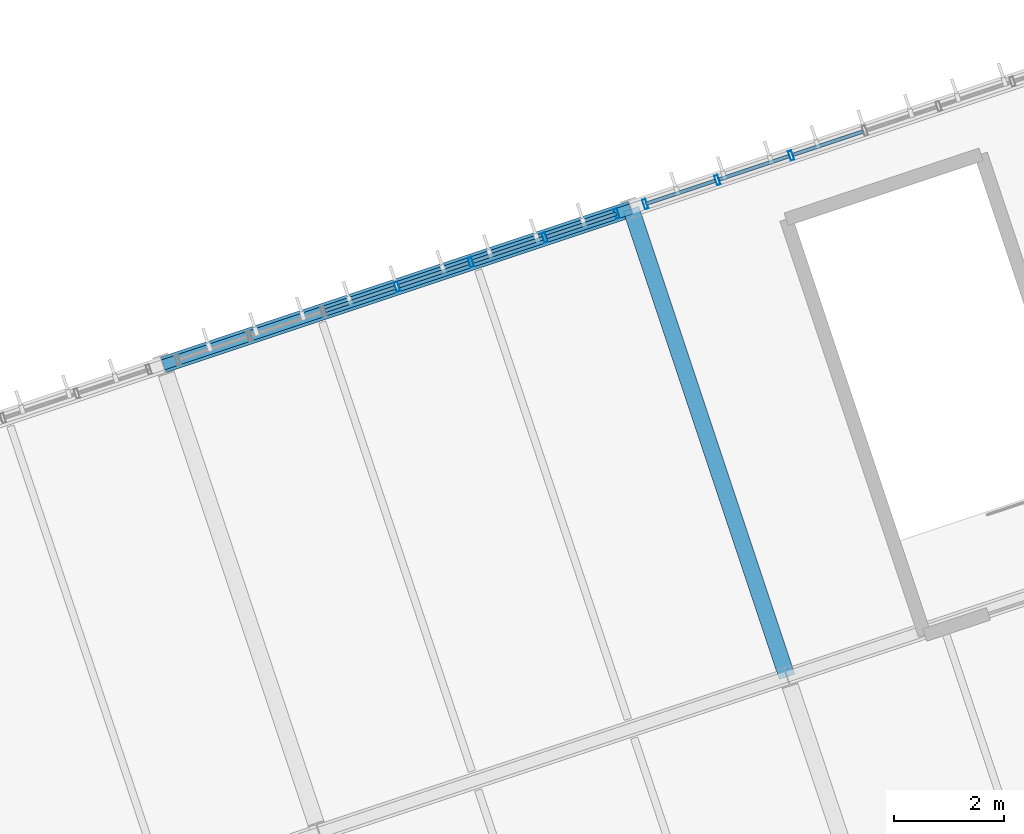
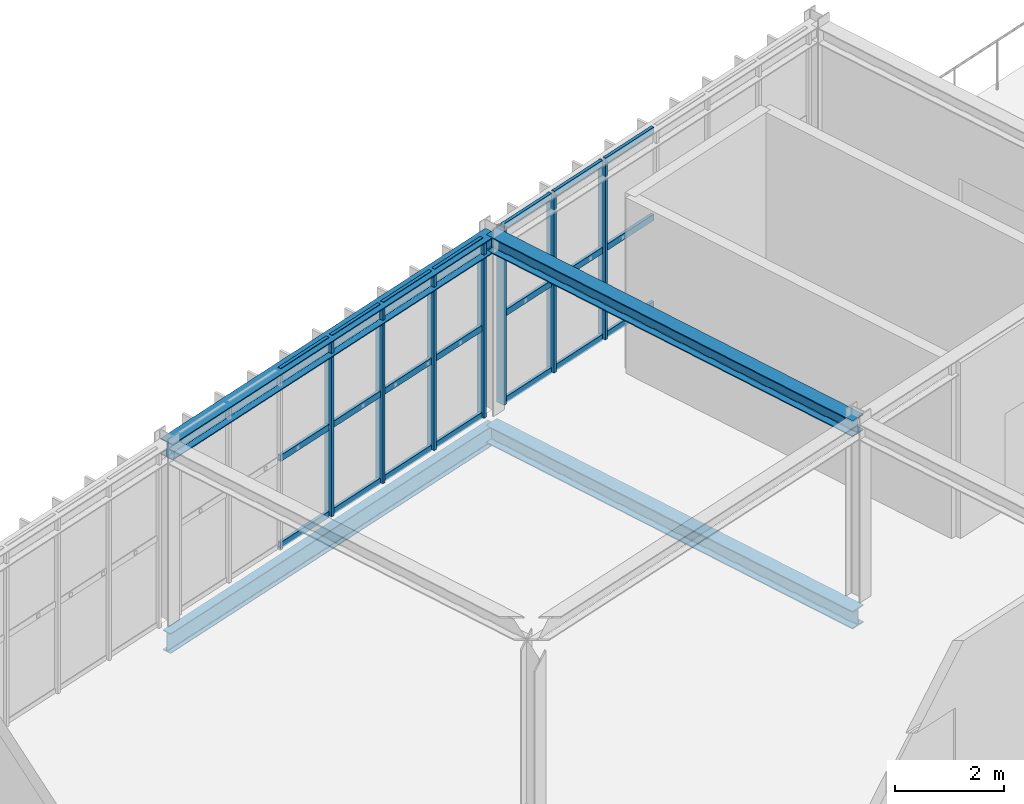
# One storey, part 20 of 61: 28 members, 4 beams, 2 elements without a shape of their own.
"""IFC4 building model written with IfcOpenShell, lengths in metres."""

import ifcopenshell
import ifcopenshell.guid

model = None  # the IFC model being written
_history = None  # IfcOwnerHistory: only IFC2X3 demands one
_inside = {}  # id of a spatial element -> (the spatial element, [elements in it])
_under = {}  # id of a project, library or spatial element -> (it, [spatial elements below it])
_declared = {}  # id of a project -> (the project, [libraries it declares])
_typed = {}  # id of a type object -> (the type object, [elements of that type])
_made_of = {}  # id of a material, layer set ... -> (it, [elements and type objects made of it])


def new_model(schema):
    """Start an empty IFC model of exactly this schema.

    Asked for "IFC4X3", IfcOpenShell would pick the latest addendum, in which some entities
    have other attributes; the version numbers below select the first issue.
    IFC2X3 requires an IfcOwnerHistory on every rooted entity: one is made here for all.
    """
    global model, _history
    if schema == "IFC4X3":
        model = ifcopenshell.file(schema_version=(4, 3, 0, 0))
    else:
        model = ifcopenshell.file(schema=schema)
    _inside.clear()
    _under.clear()
    _declared.clear()
    _typed.clear()
    _made_of.clear()
    _history = None
    if model.schema == "IFC2X3":
        org = make("IfcOrganization", Name="unknown")
        user = make(
            "IfcPersonAndOrganization",
            ThePerson=make("IfcPerson", FamilyName="unknown"),
            TheOrganization=org,
        )
        app = make(
            "IfcApplication",
            ApplicationDeveloper=org,
            Version="unknown",
            ApplicationFullName="unknown",
            ApplicationIdentifier="unknown",
        )
        _history = make(
            "IfcOwnerHistory",
            OwningUser=user,
            OwningApplication=app,
            ChangeAction="ADDED",
            CreationDate=0,
        )
    return model


def make(cls, **values):
    """One entity of the class cls with the attributes given. An attribute that is None is left unset."""
    return model.create_entity(
        cls, **{name: value for name, value in values.items() if value is not None}
    )


def rooted(cls, **values):
    """An entity with a GlobalId (a new one), such as an element, a storey or a relation."""
    return make(cls, GlobalId=ifcopenshell.guid.new(), OwnerHistory=_history, **values)


def si_unit(unit_type, name, prefix=None):
    """IfcSIUnit, for example si_unit("LENGTHUNIT", "METRE", prefix="MILLI")."""
    return make("IfcSIUnit", UnitType=unit_type, Prefix=prefix, Name=name)


def derived_unit(unit_type, elements):
    """IfcDerivedUnit: a product of units, each with its exponent."""
    return make(
        "IfcDerivedUnit",
        Elements=[
            make("IfcDerivedUnitElement", Unit=unit, Exponent=power)
            for unit, power in elements
        ],
        UnitType=unit_type,
    )


def assignment(units):
    """IfcUnitAssignment: the units of a project."""
    return None if units is None else make("IfcUnitAssignment", Units=units)


def point(xyz):
    """IfcCartesianPoint."""
    return None if xyz is None else make("IfcCartesianPoint", Coordinates=xyz)


def direction(xyz):
    """IfcDirection."""
    return None if xyz is None else make("IfcDirection", DirectionRatios=xyz)


def frame(location, z_axis=None, x_axis=None):
    """IfcAxis2Placement3D, a coordinate frame: its origin and axes. An axis left out is left unset."""
    return make(
        "IfcAxis2Placement3D",
        Location=point(location),
        Axis=direction(z_axis),
        RefDirection=direction(x_axis),
    )


def frame_2d(location, x_axis=None):
    """IfcAxis2Placement2D, a coordinate frame in the plane: its origin and x axis."""
    return make(
        "IfcAxis2Placement2D", Location=point(location), RefDirection=direction(x_axis)
    )


def origin():
    """The frame at (0, 0, 0) with its axes left unset."""
    return frame((0.0, 0.0, 0.0))


def origin_2d():
    """The frame at (0, 0) in the plane with its x axis left unset."""
    return frame_2d((0.0, 0.0))


def place(relative_to, where):
    """IfcLocalPlacement: puts the frame where relative to a parent placement (None: the world)."""
    return make(
        "IfcLocalPlacement", PlacementRelTo=relative_to, RelativePlacement=where
    )


def context(
    kind, dimensions, precision=None, world=None, true_north=None, identifier=None
):
    """IfcGeometricRepresentationContext, for example the 3D "Model" context."""
    return make(
        "IfcGeometricRepresentationContext",
        ContextIdentifier=identifier,
        ContextType=kind,
        CoordinateSpaceDimension=dimensions,
        Precision=precision,
        WorldCoordinateSystem=world,
        TrueNorth=true_north,
    )


def subcontext(parent, identifier, kind, view, scale=None):
    """IfcGeometricRepresentationSubContext, for example "Body" below "Model"."""
    return make(
        "IfcGeometricRepresentationSubContext",
        ContextIdentifier=identifier,
        ContextType=kind,
        ParentContext=parent,
        TargetScale=scale,
        TargetView=view,
    )


def project(units=None, contexts=None):
    """IfcProject with its units and contexts."""
    return rooted(
        "IfcProject",
        Name="project",
        RepresentationContexts=contexts,
        UnitsInContext=assignment(units),
    )


def spatial(cls, under=None, at=None, **own):
    """A site, building, storey or space (cls), placed at a placement, below another one or the project."""
    s = rooted(cls, ObjectPlacement=at, **own)
    if under is not None:
        _under.setdefault(under.id(), (under, []))[1].append(s)
    return s


def profile(cls, at=None, kind="AREA", **sizes):
    """A parametric profile (cls). Its sizes go by their IFC names, for example OverallWidth=200.0."""
    return make(cls, ProfileType=kind, Position=at, **sizes)


def hollow_rectangle(**sizes):
    """IfcRectangleHollowProfileDef."""
    return profile("IfcRectangleHollowProfileDef", **sizes)


def i_section(**sizes):
    """IfcIShapeProfileDef."""
    return profile("IfcIShapeProfileDef", **sizes)


def extrude(swept, where, along, depth):
    """IfcExtrudedAreaSolid: the profile swept, set in the frame where, extruded along a direction by depth."""
    return make(
        "IfcExtrudedAreaSolid",
        SweptArea=swept,
        Position=where,
        ExtrudedDirection=direction(along),
        Depth=depth,
    )


def shape(context_of_items, identifier, shape_type, items):
    """IfcShapeRepresentation: the items that make up one representation, for example the "Body"."""
    return make(
        "IfcShapeRepresentation",
        ContextOfItems=context_of_items,
        RepresentationIdentifier=identifier,
        RepresentationType=shape_type,
        Items=items,
    )


def material(Name=None, Category=None):
    """IfcMaterial."""
    return make("IfcMaterial", Name=Name, Category=Category)


def material_profile(
    of_material, cross_section, Name=None, Category=None, Priority=None
):
    """IfcMaterialProfile: a cross section and its material."""
    return make(
        "IfcMaterialProfile",
        Name=Name,
        Material=of_material,
        Profile=cross_section,
        Priority=Priority,
        Category=Category,
    )


def profile_set(profiles, Name=None, composite=None):
    """IfcMaterialProfileSet."""
    return make(
        "IfcMaterialProfileSet",
        Name=Name,
        MaterialProfiles=profiles,
        CompositeProfile=composite,
    )


def made_of(thing, what):
    """Note that an element or type object is made of a material, layer set ...; save() writes the relation."""
    if what is not None:
        _made_of.setdefault(what.id(), (what, []))[1].append(thing)
    return thing


def type_object(cls, material=None, **own):
    """A type object (cls), such as IfcWallType, which elements share."""
    return made_of(rooted(cls, **own), material)


def element(
    cls,
    number,
    at=None,
    inside=None,
    cuts=None,
    type_object=None,
    material=None,
    context=None,
    identifier="Body",
    shape_type=None,
    held_by="IfcProductDefinitionShape",
    body=None,
    shapes=None,
    **own,
):
    """One element of the class cls, such as IfcWall. Its Tag is "e" and its number.

    at: its placement. inside: the storey or other place that contains it. cuts: it is an
    opening in that element (IfcRelVoidsElement). A single representation is given by context,
    identifier, shape_type and body (its items); several are given by shapes. held_by: the class
    of the entity that holds the representations. save() writes the other relations.
    """
    e = rooted(cls, Tag="e%d" % number, ObjectPlacement=at, **own)
    if body is not None:
        shapes = [shape(context, identifier, shape_type, body)]
    if shapes is not None:
        e.Representation = make(held_by, Representations=shapes)
    if inside is not None:
        _inside.setdefault(inside.id(), (inside, []))[1].append(e)
    if cuts is not None:
        rooted(
            "IfcRelVoidsElement", RelatingBuildingElement=cuts, RelatedOpeningElement=e
        )
    if type_object is not None:
        _typed.setdefault(type_object.id(), (type_object, []))[1].append(e)
    return made_of(e, material)


def aggregate(whole, parts):
    """IfcRelAggregates: a whole, such as a stair, and the parts it consists of."""
    return rooted("IfcRelAggregates", RelatingObject=whole, RelatedObjects=parts)


def save(model, path):
    """Write the relations noted so far, then the file.

    IfcRelAggregates (storeys below a building ...), IfcRelContainedInSpatialStructure (elements
    in a storey), IfcRelDefinesByType, IfcRelAssociatesMaterial and IfcRelDeclares: one each for
    every whole, place, type object, material and project.
    """
    for whole, parts in _under.values():
        aggregate(whole, parts)
    for where, things in _inside.values():
        rooted(
            "IfcRelContainedInSpatialStructure",
            RelatedElements=things,
            RelatingStructure=where,
        )
    for kind, things in _typed.values():
        rooted("IfcRelDefinesByType", RelatedObjects=things, RelatingType=kind)
    for what, things in _made_of.values():
        rooted("IfcRelAssociatesMaterial", RelatedObjects=things, RelatingMaterial=what)
    for by, libraries in _declared.values():
        rooted("IfcRelDeclares", RelatingContext=by, RelatedDefinitions=libraries)
    model.write(path)


model = new_model("IFC4")

# Units and contexts
model_context = context("Model", 3, precision=1e-05, world=origin(), true_north=direction((0.0, 1.0)))
body_context = subcontext(model_context, "Body", "Model", "MODEL_VIEW")
ifc_project = project(units=[si_unit("LENGTHUNIT", "METRE"), si_unit("AREAUNIT", "SQUARE_METRE"), si_unit("VOLUMEUNIT", "CUBIC_METRE"), si_unit("PLANEANGLEUNIT", "RADIAN"), si_unit("MASSUNIT", "GRAM", prefix="KILO"), si_unit("THERMODYNAMICTEMPERATUREUNIT", "KELVIN"), si_unit("TIMEUNIT", "SECOND"), derived_unit("THERMALTRANSMITTANCEUNIT", [(si_unit("MASSUNIT", "GRAM", prefix="KILO"), 1), (si_unit("THERMODYNAMICTEMPERATUREUNIT", "KELVIN"), -1), (si_unit("TIMEUNIT", "SECOND"), -3)])], contexts=[model_context])

# Site, building, storey
site_placement = place(None, origin())
site = spatial("IfcSite", under=ifc_project, at=site_placement, CompositionType="ELEMENT")
building_placement = place(site_placement, origin())
building = spatial("IfcBuilding", under=site, at=building_placement, Name="Cambertide Market Hall", CompositionType="ELEMENT")
storey_placement = place(building_placement, frame((0.0, 0.0, 9.89990234375)))
storey = spatial("IfcBuildingStorey", under=building, at=storey_placement, Name="L03", CompositionType="ELEMENT", Elevation=9.89990234375)

# Curtain wall, members
ifc_material_1 = material(Name="Marine Anodized Aluminium 6063-T6 AA25", Category="aluminium")
curtain_wall_type = type_object("IfcCurtainWallType", Name="Tasting Hall Panorama Curtain Wall", PredefinedType="USERDEFINED", material=ifc_material_1)
curtain_wall_1_placement = place(storey_placement, origin())
curtain_wall_1 = element("IfcCurtainWall", 1, at=curtain_wall_1_placement, inside=storey, type_object=curtain_wall_type, Name="Level 3 Curtain Wall CW-V3N-L03-4", ObjectType="UNITIZED CURTAIN WALL", PredefinedType="USERDEFINED")
ifc_material_2 = material(Name="Champagne Marine Anodized Aluminium 6063-T6 AA25", Category="aluminium")
ifc_material_profile_1 = material_profile(ifc_material_2, hollow_rectangle(XDim=0.06494140625, YDim=0.179931640625, WallThickness=0.00390625, at=origin_2d()), Name="ALU MULLION 65x180")
ifc_profile_set_1 = profile_set([ifc_material_profile_1], Name="Champagne Marine Anodized Aluminium 6063-T6 AA25")
member_type_1 = type_object("IfcMemberType", Name="Curtain Wall Mullion ALU MULLION 65x180", PredefinedType="MULLION", material=ifc_profile_set_1)
member_1_placement = place(storey_placement, frame((127.345458984375, 47.57568359375, 0.0), z_axis=(0.0, 0.0, 1.0), x_axis=(0.948683286311, 0.316227801236, 0.0)))
member_1 = element("IfcMember", 2, at=member_1_placement, type_object=member_type_1, Name="CW-V3N-L03-4 Mullion 4", PredefinedType="MULLION", context=body_context, shape_type="SweptSolid", body=[
    extrude(hollow_rectangle(XDim=0.06494140625, YDim=0.179931640625, WallThickness=0.00390625, at=origin_2d()), origin(), (0.0, 0.0, 1.0), 3.97998046875),
])
member_2_placement = place(storey_placement, frame((128.6923828125, 48.024658203125, 0.0), z_axis=(0.0, 0.0, 1.0), x_axis=(0.948683286311, 0.316227801236, 0.0)))
member_2 = element("IfcMember", 3, at=member_2_placement, type_object=member_type_1, Name="CW-V3N-L03-4 Mullion 5", PredefinedType="MULLION", context=body_context, shape_type="SweptSolid", body=[
    extrude(hollow_rectangle(XDim=0.06494140625, YDim=0.179931640625, WallThickness=0.00390625, at=origin_2d()), origin(), (0.0, 0.0, 1.0), 3.97998046875),
])
member_3_placement = place(storey_placement, frame((130.03955078125, 48.4736328125, 0.0), z_axis=(0.0, 0.0, 1.0), x_axis=(0.948683286311, 0.316227801236, 0.0)))
member_3 = element("IfcMember", 4, at=member_3_placement, type_object=member_type_1, Name="CW-V3N-L03-4 Mullion 6", PredefinedType="MULLION", context=body_context, shape_type="SweptSolid", body=[
    extrude(hollow_rectangle(XDim=0.06494140625, YDim=0.179931640625, WallThickness=0.00390625, at=origin_2d()), origin(), (0.0, 0.0, 1.0), 3.97998046875),
])
member_4_placement = place(storey_placement, frame((131.353515625, 48.91162109375, 0.0), z_axis=(0.0, 0.0, 1.0), x_axis=(0.948683286311, 0.316227801236, 0.0)))
member_4 = element("IfcMember", 5, at=member_4_placement, type_object=member_type_1, Name="CW-V3N-L03-4 Mullion 7", PredefinedType="MULLION", context=body_context, shape_type="SweptSolid", body=[
    extrude(hollow_rectangle(XDim=0.06494140625, YDim=0.179931640625, WallThickness=0.00390625, at=origin_2d()), origin(), (0.0, 0.0, 1.0), 3.97998046875),
])

curtain_wall_2_placement = place(storey_placement, origin())
curtain_wall_2 = element("IfcCurtainWall", 6, at=curtain_wall_2_placement, inside=storey, type_object=curtain_wall_type, Name="Level 3 Curtain Wall CW-V3N-L03-5", ObjectType="UNITIZED CURTAIN WALL", PredefinedType="USERDEFINED")
member_5_placement = place(storey_placement, frame((131.875244140625, 49.085693359375, 0.0), z_axis=(0.0, 0.0, 1.0), x_axis=(0.948683286311, 0.316227801236, 0.0)))
member_5 = element("IfcMember", 7, at=member_5_placement, type_object=member_type_1, Name="CW-V3N-L03-5 Mullion 1", PredefinedType="MULLION", context=body_context, shape_type="SweptSolid", body=[
    extrude(hollow_rectangle(XDim=0.06494140625, YDim=0.179931640625, WallThickness=0.00390625, at=origin_2d()), origin(), (0.0, 0.0, 1.0), 3.97998046875),
])
member_6_placement = place(storey_placement, frame((133.189208984375, 49.523681640625, 0.0), z_axis=(0.0, 0.0, 1.0), x_axis=(0.948683286311, 0.316227801236, 0.0)))
member_6 = element("IfcMember", 8, at=member_6_placement, type_object=member_type_1, Name="CW-V3N-L03-5 Mullion 2", PredefinedType="MULLION", context=body_context, shape_type="SweptSolid", body=[
    extrude(hollow_rectangle(XDim=0.06494140625, YDim=0.179931640625, WallThickness=0.00390625, at=origin_2d()), origin(), (0.0, 0.0, 1.0), 3.97998046875),
])
member_7_placement = place(storey_placement, frame((134.536376953125, 49.97265625, 0.0), z_axis=(0.0, 0.0, 1.0), x_axis=(0.948683286311, 0.316227801236, 0.0)))
member_7 = element("IfcMember", 9, at=member_7_placement, type_object=member_type_1, Name="CW-V3N-L03-5 Mullion 3", PredefinedType="MULLION", context=body_context, shape_type="SweptSolid", body=[
    extrude(hollow_rectangle(XDim=0.06494140625, YDim=0.179931640625, WallThickness=0.00390625, at=origin_2d()), origin(), (0.0, 0.0, 1.0), 3.97998046875),
])

# Member
ifc_material_3 = material(Name="Champagne Marine Anodized Aluminium 6063-T6 AA25", Category="aluminium")
ifc_material_profile_2 = material_profile(ifc_material_3, hollow_rectangle(XDim=0.06494140625, YDim=0.139892578125, WallThickness=0.00341796875, at=origin_2d()), Name="ALU TRANSOM 65x140")
ifc_profile_set_2 = profile_set([ifc_material_profile_2], Name="Champagne Marine Anodized Aluminium 6063-T6 AA25")
member_type_2 = type_object("IfcMemberType", Name="Curtain Wall Transom ALU TRANSOM 65x140", PredefinedType="USERDEFINED", material=ifc_profile_set_2)
member_8_placement = place(storey_placement, frame((126.0361328125, 47.13916015625, 0.03515625), z_axis=(0.948665077442, 0.316282422593, 0.0), x_axis=(-0.316282422593, 0.948665077442, 0.0)))
member_8 = element("IfcMember", 10, at=member_8_placement, type_object=member_type_2, Name="CW-V3N-L03-4 Transom 1-3", ObjectType="TRANSOM", PredefinedType="USERDEFINED", context=body_context, shape_type="SweptSolid", body=[
    extrude(hollow_rectangle(XDim=0.06494140625, YDim=0.139892578125, WallThickness=0.00341796875, at=origin_2d()), origin(), (0.0, 0.0, 1.0), 1.340087890625),
])

member_9_placement = place(storey_placement, frame((127.38330078125, 47.58837890625, 0.03515625), z_axis=(0.948719731918, 0.316118443418, 0.0), x_axis=(-0.316118443418, 0.948719731918, 0.0)))
member_9 = element("IfcMember", 11, at=member_9_placement, type_object=member_type_2, Name="CW-V3N-L03-4 Transom 1-4", ObjectType="TRANSOM", PredefinedType="USERDEFINED", context=body_context, shape_type="SweptSolid", body=[
    extrude(hollow_rectangle(XDim=0.06494140625, YDim=0.139892578125, WallThickness=0.00341796875, at=origin_2d()), origin(), (0.0, 0.0, 1.0), 1.33984375),
])

member_10_placement = place(storey_placement, frame((128.73046875, 48.037353515625, 0.03515625), z_axis=(0.948665077442, 0.316282422593, 0.0), x_axis=(-0.316282422593, 0.948665077442, 0.0)))
member_10 = element("IfcMember", 12, at=member_10_placement, type_object=member_type_2, Name="CW-V3N-L03-4 Transom 1-5", ObjectType="TRANSOM", PredefinedType="USERDEFINED", context=body_context, shape_type="SweptSolid", body=[
    extrude(hollow_rectangle(XDim=0.06494140625, YDim=0.139892578125, WallThickness=0.00341796875, at=origin_2d()), origin(), (0.0, 0.0, 1.0), 1.340087890625),
])

member_11_placement = place(storey_placement, frame((130.07763671875, 48.486328125, 0.03515625), z_axis=(0.948665077442, 0.316282422593, 0.0), x_axis=(-0.316282422593, 0.948665077442, 0.0)))
member_11 = element("IfcMember", 13, at=member_11_placement, type_object=member_type_2, Name="CW-V3N-L03-4 Transom 1-6", ObjectType="TRANSOM", PredefinedType="USERDEFINED", context=body_context, shape_type="SweptSolid", body=[
    extrude(hollow_rectangle(XDim=0.06494140625, YDim=0.139892578125, WallThickness=0.00341796875, at=origin_2d()), origin(), (0.0, 0.0, 1.0), 1.340087890625),
])

member_12_placement = place(storey_placement, frame((126.0361328125, 47.13916015625, 1.989990234375), z_axis=(0.948665077442, 0.316282422593, 0.0), x_axis=(-0.316282422593, 0.948665077442, 0.0)))
member_12 = element("IfcMember", 14, at=member_12_placement, type_object=member_type_2, Name="CW-V3N-L03-4 Transom 2-3", ObjectType="TRANSOM", PredefinedType="USERDEFINED", context=body_context, shape_type="SweptSolid", body=[
    extrude(hollow_rectangle(XDim=0.06494140625, YDim=0.139892578125, WallThickness=0.00341796875, at=origin_2d()), origin(), (0.0, 0.0, 1.0), 1.340087890625),
])

member_13_placement = place(storey_placement, frame((127.38330078125, 47.58837890625, 1.989990234375), z_axis=(0.948719731918, 0.316118443418, 0.0), x_axis=(-0.316118443418, 0.948719731918, 0.0)))
member_13 = element("IfcMember", 15, at=member_13_placement, type_object=member_type_2, Name="CW-V3N-L03-4 Transom 2-4", ObjectType="TRANSOM", PredefinedType="USERDEFINED", context=body_context, shape_type="SweptSolid", body=[
    extrude(hollow_rectangle(XDim=0.06494140625, YDim=0.139892578125, WallThickness=0.00341796875, at=origin_2d()), origin(), (0.0, 0.0, 1.0), 1.33984375),
])

member_14_placement = place(storey_placement, frame((128.73046875, 48.037353515625, 1.989990234375), z_axis=(0.948665077442, 0.316282422593, 0.0), x_axis=(-0.316282422593, 0.948665077442, 0.0)))
member_14 = element("IfcMember", 16, at=member_14_placement, type_object=member_type_2, Name="CW-V3N-L03-4 Transom 2-5", ObjectType="TRANSOM", PredefinedType="USERDEFINED", context=body_context, shape_type="SweptSolid", body=[
    extrude(hollow_rectangle(XDim=0.06494140625, YDim=0.139892578125, WallThickness=0.00341796875, at=origin_2d()), origin(), (0.0, 0.0, 1.0), 1.340087890625),
])

member_15_placement = place(storey_placement, frame((130.07763671875, 48.486328125, 1.989990234375), z_axis=(0.948665077442, 0.316282422593, 0.0), x_axis=(-0.316282422593, 0.948665077442, 0.0)))
member_15 = element("IfcMember", 17, at=member_15_placement, type_object=member_type_2, Name="CW-V3N-L03-4 Transom 2-6", ObjectType="TRANSOM", PredefinedType="USERDEFINED", context=body_context, shape_type="SweptSolid", body=[
    extrude(hollow_rectangle(XDim=0.06494140625, YDim=0.139892578125, WallThickness=0.00341796875, at=origin_2d()), origin(), (0.0, 0.0, 1.0), 1.340087890625),
])

member_16_placement = place(storey_placement, frame((126.0361328125, 47.13916015625, 3.945068359375), z_axis=(0.948665077442, 0.316282422593, 0.0), x_axis=(-0.316282422593, 0.948665077442, 0.0)))
member_16 = element("IfcMember", 18, at=member_16_placement, type_object=member_type_2, Name="CW-V3N-L03-4 Transom 3-3", ObjectType="TRANSOM", PredefinedType="USERDEFINED", context=body_context, shape_type="SweptSolid", body=[
    extrude(hollow_rectangle(XDim=0.06494140625, YDim=0.139892578125, WallThickness=0.00341796875, at=origin_2d()), origin(), (0.0, 0.0, 1.0), 1.340087890625),
])

member_17_placement = place(storey_placement, frame((127.38330078125, 47.58837890625, 3.945068359375), z_axis=(0.948719731918, 0.316118443418, 0.0), x_axis=(-0.316118443418, 0.948719731918, 0.0)))
member_17 = element("IfcMember", 19, at=member_17_placement, type_object=member_type_2, Name="CW-V3N-L03-4 Transom 3-4", ObjectType="TRANSOM", PredefinedType="USERDEFINED", context=body_context, shape_type="SweptSolid", body=[
    extrude(hollow_rectangle(XDim=0.06494140625, YDim=0.139892578125, WallThickness=0.00341796875, at=origin_2d()), origin(), (0.0, 0.0, 1.0), 1.33984375),
])

member_18_placement = place(storey_placement, frame((128.73046875, 48.037353515625, 3.945068359375), z_axis=(0.948665077442, 0.316282422593, 0.0), x_axis=(-0.316282422593, 0.948665077442, 0.0)))
member_18 = element("IfcMember", 20, at=member_18_placement, type_object=member_type_2, Name="CW-V3N-L03-4 Transom 3-5", ObjectType="TRANSOM", PredefinedType="USERDEFINED", context=body_context, shape_type="SweptSolid", body=[
    extrude(hollow_rectangle(XDim=0.06494140625, YDim=0.139892578125, WallThickness=0.00341796875, at=origin_2d()), origin(), (0.0, 0.0, 1.0), 1.340087890625),
])

member_19_placement = place(storey_placement, frame((130.07763671875, 48.486328125, 3.945068359375), z_axis=(0.948665077442, 0.316282422593, 0.0), x_axis=(-0.316282422593, 0.948665077442, 0.0)))
member_19 = element("IfcMember", 21, at=member_19_placement, type_object=member_type_2, Name="CW-V3N-L03-4 Transom 3-6", ObjectType="TRANSOM", PredefinedType="USERDEFINED", context=body_context, shape_type="SweptSolid", body=[
    extrude(hollow_rectangle(XDim=0.06494140625, YDim=0.139892578125, WallThickness=0.00341796875, at=origin_2d()), origin(), (0.0, 0.0, 1.0), 1.340087890625),
])

aggregate(curtain_wall_1, [member_1, member_2, member_3, member_4, member_8, member_9, member_10, member_11, member_12, member_13, member_14, member_15, member_16, member_17, member_18, member_19])

member_20_placement = place(storey_placement, frame((131.880126953125, 49.087158203125, 0.03515625), z_axis=(0.948665077442, 0.316282422593, 0.0), x_axis=(-0.316282422593, 0.948665077442, 0.0)))
member_20 = element("IfcMember", 22, at=member_20_placement, type_object=member_type_2, Name="CW-V3N-L03-5 Transom 1-1", ObjectType="TRANSOM", PredefinedType="USERDEFINED", context=body_context, shape_type="SweptSolid", body=[
    extrude(hollow_rectangle(XDim=0.06494140625, YDim=0.139892578125, WallThickness=0.00341796875, at=origin_2d()), origin(), (0.0, 0.0, 1.0), 1.340087890625),
])

member_21_placement = place(storey_placement, frame((133.227294921875, 49.5361328125, 0.03515625), z_axis=(0.948665077442, 0.316282422593, 0.0), x_axis=(-0.316282422593, 0.948665077442, 0.0)))
member_21 = element("IfcMember", 23, at=member_21_placement, type_object=member_type_2, Name="CW-V3N-L03-5 Transom 1-2", ObjectType="TRANSOM", PredefinedType="USERDEFINED", context=body_context, shape_type="SweptSolid", body=[
    extrude(hollow_rectangle(XDim=0.06494140625, YDim=0.139892578125, WallThickness=0.00341796875, at=origin_2d()), origin(), (0.0, 0.0, 1.0), 1.340087890625),
])

member_22_placement = place(storey_placement, frame((134.574462890625, 49.9853515625, 0.03515625), z_axis=(0.948701519708, 0.316173095792, 0.0), x_axis=(-0.316173095792, 0.948701519708, 0.0)))
member_22 = element("IfcMember", 24, at=member_22_placement, type_object=member_type_2, Name="CW-V3N-L03-5 Transom 1-3", ObjectType="TRANSOM", PredefinedType="USERDEFINED", context=body_context, shape_type="SweptSolid", body=[
    extrude(hollow_rectangle(XDim=0.06494140625, YDim=0.139892578125, WallThickness=0.00341796875, at=origin_2d()), origin(), (0.0, 0.0, 1.0), 1.33984375),
])

member_23_placement = place(storey_placement, frame((131.880126953125, 49.087158203125, 1.989990234375), z_axis=(0.948665077442, 0.316282422593, 0.0), x_axis=(-0.316282422593, 0.948665077442, 0.0)))
member_23 = element("IfcMember", 25, at=member_23_placement, type_object=member_type_2, Name="CW-V3N-L03-5 Transom 2-1", ObjectType="TRANSOM", PredefinedType="USERDEFINED", context=body_context, shape_type="SweptSolid", body=[
    extrude(hollow_rectangle(XDim=0.06494140625, YDim=0.139892578125, WallThickness=0.00341796875, at=origin_2d()), origin(), (0.0, 0.0, 1.0), 1.340087890625),
])

member_24_placement = place(storey_placement, frame((133.227294921875, 49.5361328125, 1.989990234375), z_axis=(0.948665077442, 0.316282422593, 0.0), x_axis=(-0.316282422593, 0.948665077442, 0.0)))
member_24 = element("IfcMember", 26, at=member_24_placement, type_object=member_type_2, Name="CW-V3N-L03-5 Transom 2-2", ObjectType="TRANSOM", PredefinedType="USERDEFINED", context=body_context, shape_type="SweptSolid", body=[
    extrude(hollow_rectangle(XDim=0.06494140625, YDim=0.139892578125, WallThickness=0.00341796875, at=origin_2d()), origin(), (0.0, 0.0, 1.0), 1.340087890625),
])

member_25_placement = place(storey_placement, frame((134.574462890625, 49.9853515625, 1.989990234375), z_axis=(0.948701519708, 0.316173095792, 0.0), x_axis=(-0.316173095792, 0.948701519708, 0.0)))
member_25 = element("IfcMember", 27, at=member_25_placement, type_object=member_type_2, Name="CW-V3N-L03-5 Transom 2-3", ObjectType="TRANSOM", PredefinedType="USERDEFINED", context=body_context, shape_type="SweptSolid", body=[
    extrude(hollow_rectangle(XDim=0.06494140625, YDim=0.139892578125, WallThickness=0.00341796875, at=origin_2d()), origin(), (0.0, 0.0, 1.0), 1.33984375),
])

member_26_placement = place(storey_placement, frame((131.880126953125, 49.087158203125, 3.945068359375), z_axis=(0.948665077442, 0.316282422593, 0.0), x_axis=(-0.316282422593, 0.948665077442, 0.0)))
member_26 = element("IfcMember", 28, at=member_26_placement, type_object=member_type_2, Name="CW-V3N-L03-5 Transom 3-1", ObjectType="TRANSOM", PredefinedType="USERDEFINED", context=body_context, shape_type="SweptSolid", body=[
    extrude(hollow_rectangle(XDim=0.06494140625, YDim=0.139892578125, WallThickness=0.00341796875, at=origin_2d()), origin(), (0.0, 0.0, 1.0), 1.340087890625),
])

member_27_placement = place(storey_placement, frame((133.227294921875, 49.5361328125, 3.945068359375), z_axis=(0.948665077442, 0.316282422593, 0.0), x_axis=(-0.316282422593, 0.948665077442, 0.0)))
member_27 = element("IfcMember", 29, at=member_27_placement, type_object=member_type_2, Name="CW-V3N-L03-5 Transom 3-2", ObjectType="TRANSOM", PredefinedType="USERDEFINED", context=body_context, shape_type="SweptSolid", body=[
    extrude(hollow_rectangle(XDim=0.06494140625, YDim=0.139892578125, WallThickness=0.00341796875, at=origin_2d()), origin(), (0.0, 0.0, 1.0), 1.340087890625),
])

member_28_placement = place(storey_placement, frame((134.574462890625, 49.9853515625, 3.945068359375), z_axis=(0.948701519708, 0.316173095792, 0.0), x_axis=(-0.316173095792, 0.948701519708, 0.0)))
member_28 = element("IfcMember", 30, at=member_28_placement, type_object=member_type_2, Name="CW-V3N-L03-5 Transom 3-3", ObjectType="TRANSOM", PredefinedType="USERDEFINED", context=body_context, shape_type="SweptSolid", body=[
    extrude(hollow_rectangle(XDim=0.06494140625, YDim=0.139892578125, WallThickness=0.00341796875, at=origin_2d()), origin(), (0.0, 0.0, 1.0), 1.33984375),
])

aggregate(curtain_wall_2, [member_5, member_6, member_7, member_20, member_21, member_22, member_23, member_24, member_25, member_26, member_27, member_28])

# Beams
ifc_material_4 = material(Name="Steel S355", Category="steel")
ifc_material_profile_3 = material_profile(ifc_material_4, i_section(OverallWidth=0.300048828125, OverallDepth=0.360107421875, WebThickness=0.012451171875, FlangeThickness=0.0224609375, FilletRadius=0.027099609375, at=origin_2d()), Name="HEB 360")
ifc_profile_set_3 = profile_set([ifc_material_profile_3], Name="Steel S355")
beam_type_1 = type_object("IfcBeamType", Name="Exterior Steel Girder HEB 360", PredefinedType="BEAM", material=ifc_profile_set_3)
for number, where, z_axis, x_axis, name in (
    (31, (123.076416015625, 46.152587890625, 3.820068359375), (0.948686010717, 0.3162196279, 0.0), (-0.3162196279, 0.948686010717, 0.0), "Level 3 Beam BM-V3U-RF-4-4"),
    (32, (134.46044921875, 40.46044921875, 3.820068359375), (-0.3162196279, 0.948686010717, 0.0), (-0.948686010717, -0.3162196279, 0.0), "Level 3 Beam BM-V3V-RF-5-3"),
):
    element("IfcBeam", number, at=place(storey_placement, frame(where, z_axis=z_axis, x_axis=x_axis)), inside=storey, type_object=beam_type_1, Name=name, PredefinedType="BEAM", context=body_context, shape_type="SweptSolid", body=[
        extrude(i_section(OverallWidth=0.300048828125, OverallDepth=0.360107421875, WebThickness=0.012451171875, FlangeThickness=0.0224609375, FilletRadius=0.027099609375, at=origin_2d()), origin(), (0.0, 0.0, 1.0), 9.0),
    ])
ifc_material_5 = material(Name="Steel S355", Category="steel")
ifc_material_profile_4 = material_profile(ifc_material_5, i_section(OverallWidth=0.18994140625, OverallDepth=0.449951171875, WebThickness=0.009521484375, FlangeThickness=0.0146484375, FilletRadius=0.02099609375, at=origin_2d()), Name="IPE 450")
ifc_profile_set_4 = profile_set([ifc_material_profile_4], Name="Steel S355")
beam_type_2 = type_object("IfcBeamType", Name="Perimeter Spandrel Beam IPE 450", PredefinedType="SPANDREL", material=ifc_profile_set_4)
beam_1_placement = place(storey_placement, frame((123.076416015625, 46.152587890625, -0.5), z_axis=(0.948686010717, 0.3162196279, 0.0), x_axis=(-0.3162196279, 0.948686010717, 0.0)))
element("IfcBeam", 33, at=beam_1_placement, inside=storey, type_object=beam_type_2, Name="Level 3 Spandrel BM-V3U-L03-4-4", PredefinedType="SPANDREL", context=body_context, shape_type="SweptSolid", body=[
    extrude(i_section(OverallWidth=0.18994140625, OverallDepth=0.449951171875, WebThickness=0.009521484375, FlangeThickness=0.0146484375, FilletRadius=0.02099609375, at=origin_2d()), origin(), (0.0, 0.0, 1.0), 9.0),
])
ifc_material_6 = material(Name="Steel S355", Category="steel")
ifc_material_profile_5 = material_profile(ifc_material_6, i_section(OverallWidth=0.300048828125, OverallDepth=0.39990234375, WebThickness=0.013427734375, FlangeThickness=0.02392578125, FilletRadius=0.027099609375, at=origin_2d()), Name="HEB 400")
ifc_profile_set_5 = profile_set([ifc_material_profile_5], Name="Steel S355")
beam_type_3 = type_object("IfcBeamType", Name="Steel Girder HEB 400", PredefinedType="BEAM", material=ifc_profile_set_5)
beam_2_placement = place(storey_placement, frame((134.46044921875, 40.46044921875, -0.474853515625), z_axis=(-0.3162196279, 0.948686010717, 0.0), x_axis=(-0.948686010717, -0.3162196279, 0.0)))
element("IfcBeam", 34, at=beam_2_placement, inside=storey, type_object=beam_type_3, Name="Level 3 Beam BM-V3V-L03-5-3", PredefinedType="BEAM", context=body_context, shape_type="SweptSolid", body=[
    extrude(i_section(OverallWidth=0.300048828125, OverallDepth=0.39990234375, WebThickness=0.013427734375, FlangeThickness=0.02392578125, FilletRadius=0.027099609375, at=origin_2d()), origin(), (0.0, 0.0, 1.0), 9.0),
])

save(model, "model.ifc")
